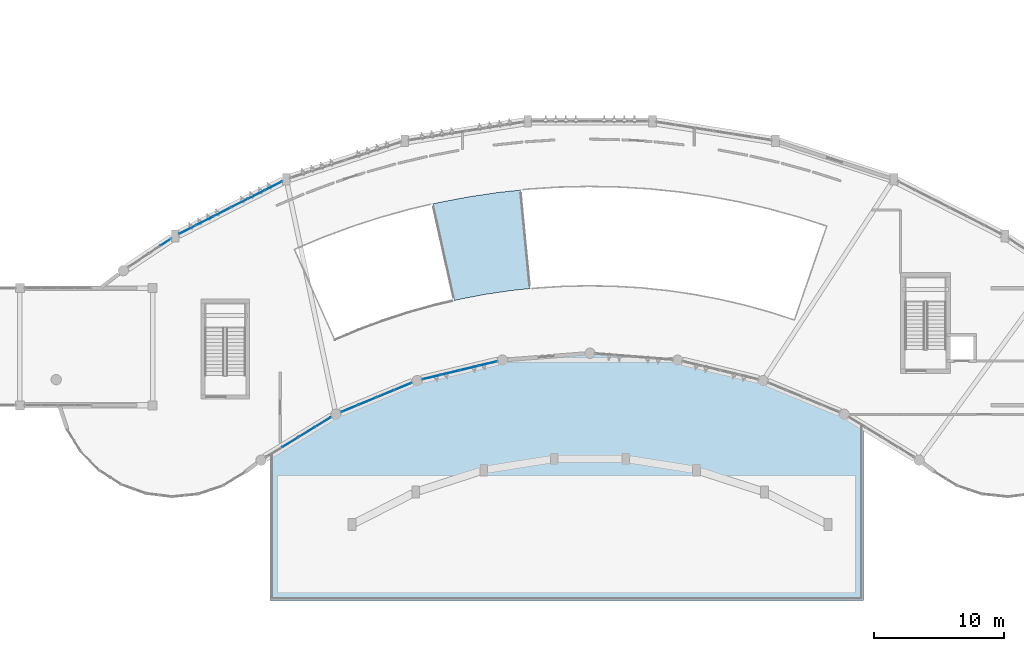
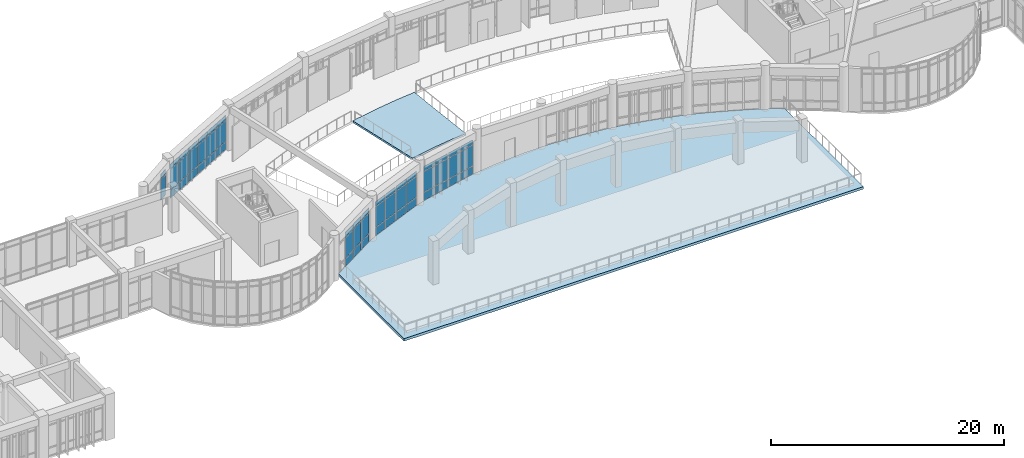
# One storey, part 39 of 65: 53 plates, 2 slabs, 9 elements without a shape of their own.
"""IFC4 building model written with IfcOpenShell, lengths in metres."""

from ifc_helpers import new_model, si_unit, direction, frame, origin, origin_2d, place, context, subcontext, project, spatial, polyline, rectangle, outline, extrude, material, layer, layer_set, type_object, element, aggregate, save


model = new_model("IFC4")

# Units and contexts
model_context = context("Model", 3, precision=1e-05, world=origin(), true_north=direction((0.0, 1.0)))
body_context = subcontext(model_context, "Body", "Model", "MODEL_VIEW")
ifc_project = project(units=[si_unit("LENGTHUNIT", "METRE"), si_unit("AREAUNIT", "SQUARE_METRE"), si_unit("VOLUMEUNIT", "CUBIC_METRE"), si_unit("PLANEANGLEUNIT", "RADIAN"), si_unit("MASSUNIT", "GRAM", prefix="KILO")], contexts=[model_context])

# Site, building, storey
site_placement = place(None, origin())
site = spatial("IfcSite", under=ifc_project, at=site_placement, CompositionType="ELEMENT")
building_placement = place(site_placement, origin())
building = spatial("IfcBuilding", under=site, at=building_placement, Name="Miralva Faculty of Natural Sciences", CompositionType="ELEMENT")
storey_placement = place(building_placement, frame((0.0, 0.0, 10.199951171875)))
storey = spatial("IfcBuildingStorey", under=building, at=storey_placement, Name="L02", CompositionType="ELEMENT", Elevation=10.199951171875)

# Curtain wall, plates
ifc_material_1 = material(Name="Laminated solar-control glass", Category="glass")
ifc_layer_1 = layer(ifc_material_1, 0.179931640625, Name="CW-ARC-L01")
ifc_layer_set_1 = layer_set([ifc_layer_1], Name="Laminated solar-control glass")
curtain_wall_type = type_object("IfcCurtainWallType", Name="CW-ARC-L01", PredefinedType="USERDEFINED", material=ifc_layer_set_1)
curtain_wall_1_placement = place(storey_placement, origin())
curtain_wall_1 = element("IfcCurtainWall", 1, at=curtain_wall_1_placement, inside=storey, type_object=curtain_wall_type, Name="Curtain wall CW-02 L02-63", ObjectType="UNITISED CURTAIN WALL", PredefinedType="USERDEFINED")
ifc_layer_2 = layer(ifc_material_1, 0.028076171875, Name="PNL-P01")
ifc_layer_set_2 = layer_set([ifc_layer_2], Name="Laminated solar-control glass")
plate_type = type_object("IfcPlateType", Name="PNL-P01", PredefinedType="CURTAIN_PANEL", material=ifc_layer_set_2)
plate_1_placement = place(storey_placement, frame((66.95947265625, 15.15673828125, 0.06494140625), z_axis=(0.0, 0.0, 1.0), x_axis=(0.852640729642, 0.522497642249, 0.0)))
plate_1 = element("IfcPlate", 2, at=plate_1_placement, type_object=plate_type, Name="CW-02 panel 2.1", PredefinedType="CURTAIN_PANEL", context=body_context, shape_type="SweptSolid", body=[
    extrude(rectangle(XDim=1.376953125, YDim=0.028076171875, at=origin_2d()), origin(), (0.0, 0.0, 1.0), 0.802490234375),
])
plate_2_placement = place(storey_placement, frame((66.95947265625, 15.15673828125, 0.9326171875), z_axis=(0.0, 0.0, 1.0), x_axis=(0.852640729642, 0.522497642249, 0.0)))
plate_2 = element("IfcPlate", 3, at=plate_2_placement, type_object=plate_type, Name="CW-02 panel 2.2", PredefinedType="CURTAIN_PANEL", context=body_context, shape_type="SweptSolid", body=[
    extrude(rectangle(XDim=1.376953125, YDim=0.028076171875, at=origin_2d()), origin(), (0.0, 0.0, 1.0), 2.139892578125),
])
plate_3_placement = place(storey_placement, frame((66.95947265625, 15.15673828125, 3.1376953125), z_axis=(0.0, 0.0, 1.0), x_axis=(0.852640729642, 0.522497642249, 0.0)))
plate_3 = element("IfcPlate", 4, at=plate_3_placement, type_object=plate_type, Name="CW-02 panel 2.3", PredefinedType="CURTAIN_PANEL", context=body_context, shape_type="SweptSolid", body=[
    extrude(rectangle(XDim=1.376953125, YDim=0.028076171875, at=origin_2d()), origin(), (0.0, 0.0, 1.0), 0.50244140625),
])
aggregate(curtain_wall_1, [plate_1, plate_2, plate_3])

curtain_wall_2_placement = place(storey_placement, origin())
curtain_wall_2 = element("IfcCurtainWall", 5, at=curtain_wall_2_placement, inside=storey, type_object=curtain_wall_type, Name="Curtain wall CW-02 L02-64", ObjectType="UNITISED CURTAIN WALL", PredefinedType="USERDEFINED")
plate_4_placement = place(storey_placement, frame((68.240966796875, 15.942138671875, 0.06494140625), z_axis=(0.0, 0.0, 1.0), x_axis=(0.852655256018, 0.522473936561, 0.0)))
plate_4 = element("IfcPlate", 6, at=plate_4_placement, type_object=plate_type, Name="CW-02 panel 1.1", PredefinedType="CURTAIN_PANEL", context=body_context, shape_type="SweptSolid", body=[
    extrude(rectangle(XDim=1.37939453125, YDim=0.028076171875, at=origin_2d()), origin(), (0.0, 0.0, 1.0), 0.802490234375),
])
plate_5_placement = place(storey_placement, frame((68.240966796875, 15.942138671875, 0.9326171875), z_axis=(0.0, 0.0, 1.0), x_axis=(0.852655256018, 0.522473936561, 0.0)))
plate_5 = element("IfcPlate", 7, at=plate_5_placement, type_object=plate_type, Name="CW-02 panel 1.2", PredefinedType="CURTAIN_PANEL", context=body_context, shape_type="SweptSolid", body=[
    extrude(rectangle(XDim=1.37939453125, YDim=0.028076171875, at=origin_2d()), origin(), (0.0, 0.0, 1.0), 2.139892578125),
])
plate_6_placement = place(storey_placement, frame((68.240966796875, 15.942138671875, 3.1376953125), z_axis=(0.0, 0.0, 1.0), x_axis=(0.852655256018, 0.522473936561, 0.0)))
plate_6 = element("IfcPlate", 8, at=plate_6_placement, type_object=plate_type, Name="CW-02 panel 1.3", PredefinedType="CURTAIN_PANEL", context=body_context, shape_type="SweptSolid", body=[
    extrude(rectangle(XDim=1.37939453125, YDim=0.028076171875, at=origin_2d()), origin(), (0.0, 0.0, 1.0), 0.50244140625),
])
plate_7_placement = place(storey_placement, frame((69.47265625, 16.69677734375, 0.06494140625), z_axis=(0.0, 0.0, 1.0), x_axis=(0.852655256018, 0.522473936561, 0.0)))
plate_7 = element("IfcPlate", 9, at=plate_7_placement, type_object=plate_type, Name="CW-02 panel 2.1", PredefinedType="CURTAIN_PANEL", context=body_context, shape_type="SweptSolid", body=[
    extrude(rectangle(XDim=1.37939453125, YDim=0.028076171875, at=origin_2d()), origin(), (0.0, 0.0, 1.0), 0.802490234375),
])
plate_8_placement = place(storey_placement, frame((69.47265625, 16.69677734375, 0.9326171875), z_axis=(0.0, 0.0, 1.0), x_axis=(0.852655256018, 0.522473936561, 0.0)))
plate_8 = element("IfcPlate", 10, at=plate_8_placement, type_object=plate_type, Name="CW-02 panel 2.2", PredefinedType="CURTAIN_PANEL", context=body_context, shape_type="SweptSolid", body=[
    extrude(rectangle(XDim=1.37939453125, YDim=0.028076171875, at=origin_2d()), origin(), (0.0, 0.0, 1.0), 2.139892578125),
])
plate_9_placement = place(storey_placement, frame((69.47265625, 16.69677734375, 3.1376953125), z_axis=(0.0, 0.0, 1.0), x_axis=(0.852655256018, 0.522473936561, 0.0)))
plate_9 = element("IfcPlate", 11, at=plate_9_placement, type_object=plate_type, Name="CW-02 panel 2.3", PredefinedType="CURTAIN_PANEL", context=body_context, shape_type="SweptSolid", body=[
    extrude(rectangle(XDim=1.37939453125, YDim=0.028076171875, at=origin_2d()), origin(), (0.0, 0.0, 1.0), 0.50244140625),
])
aggregate(curtain_wall_2, [plate_4, plate_5, plate_6, plate_7, plate_8, plate_9])

curtain_wall_3_placement = place(storey_placement, origin())
curtain_wall_3 = element("IfcCurtainWall", 12, at=curtain_wall_3_placement, inside=storey, type_object=curtain_wall_type, Name="Curtain wall CW-02 L02-65", ObjectType="UNITISED CURTAIN WALL", PredefinedType="USERDEFINED")
plate_10_placement = place(storey_placement, frame((71.560302734375, 17.761474609375, 0.06494140625), z_axis=(0.0, 0.0, 1.0), x_axis=(0.923873889004, 0.382697056713, 0.0)))
plate_10 = element("IfcPlate", 13, at=plate_10_placement, type_object=plate_type, Name="CW-02 panel 1.1", PredefinedType="CURTAIN_PANEL", context=body_context, shape_type="SweptSolid", body=[
    extrude(rectangle(XDim=1.3818359375, YDim=0.028076171875, at=origin_2d()), origin(), (0.0, 0.0, 1.0), 0.802490234375),
])
plate_11_placement = place(storey_placement, frame((71.560302734375, 17.761474609375, 0.9326171875), z_axis=(0.0, 0.0, 1.0), x_axis=(0.923873889004, 0.382697056713, 0.0)))
plate_11 = element("IfcPlate", 14, at=plate_11_placement, type_object=plate_type, Name="CW-02 panel 1.2", PredefinedType="CURTAIN_PANEL", context=body_context, shape_type="SweptSolid", body=[
    extrude(rectangle(XDim=1.3818359375, YDim=0.028076171875, at=origin_2d()), origin(), (0.0, 0.0, 1.0), 2.139892578125),
])
plate_12_placement = place(storey_placement, frame((71.560302734375, 17.761474609375, 3.1376953125), z_axis=(0.0, 0.0, 1.0), x_axis=(0.923873889004, 0.382697056713, 0.0)))
plate_12 = element("IfcPlate", 15, at=plate_12_placement, type_object=plate_type, Name="CW-02 panel 1.3", PredefinedType="CURTAIN_PANEL", context=body_context, shape_type="SweptSolid", body=[
    extrude(rectangle(XDim=1.3818359375, YDim=0.028076171875, at=origin_2d()), origin(), (0.0, 0.0, 1.0), 0.50244140625),
])
plate_13_placement = place(storey_placement, frame((72.89697265625, 18.315185546875, 0.06494140625), z_axis=(0.0, 0.0, 1.0), x_axis=(0.923873889004, 0.382697056713, 0.0)))
plate_13 = element("IfcPlate", 16, at=plate_13_placement, type_object=plate_type, Name="CW-02 panel 2.1", PredefinedType="CURTAIN_PANEL", context=body_context, shape_type="SweptSolid", body=[
    extrude(rectangle(XDim=1.3818359375, YDim=0.028076171875, at=origin_2d()), origin(), (0.0, 0.0, 1.0), 0.802490234375),
])
plate_14_placement = place(storey_placement, frame((72.89697265625, 18.315185546875, 0.9326171875), z_axis=(0.0, 0.0, 1.0), x_axis=(0.923873889004, 0.382697056713, 0.0)))
plate_14 = element("IfcPlate", 17, at=plate_14_placement, type_object=plate_type, Name="CW-02 panel 2.2", PredefinedType="CURTAIN_PANEL", context=body_context, shape_type="SweptSolid", body=[
    extrude(rectangle(XDim=1.3818359375, YDim=0.028076171875, at=origin_2d()), origin(), (0.0, 0.0, 1.0), 2.139892578125),
])
plate_15_placement = place(storey_placement, frame((72.89697265625, 18.315185546875, 3.1376953125), z_axis=(0.0, 0.0, 1.0), x_axis=(0.923873889004, 0.382697056713, 0.0)))
plate_15 = element("IfcPlate", 18, at=plate_15_placement, type_object=plate_type, Name="CW-02 panel 2.3", PredefinedType="CURTAIN_PANEL", context=body_context, shape_type="SweptSolid", body=[
    extrude(rectangle(XDim=1.3818359375, YDim=0.028076171875, at=origin_2d()), origin(), (0.0, 0.0, 1.0), 0.50244140625),
])
aggregate(curtain_wall_3, [plate_10, plate_11, plate_12, plate_13, plate_14, plate_15])

curtain_wall_4_placement = place(storey_placement, origin())
curtain_wall_4 = element("IfcCurtainWall", 19, at=curtain_wall_4_placement, inside=storey, type_object=curtain_wall_type, Name="Curtain wall CW-02 L02-66", ObjectType="UNITISED CURTAIN WALL", PredefinedType="USERDEFINED")
plate_16_placement = place(storey_placement, frame((74.290283203125, 18.892333984375, 0.06494140625), z_axis=(0.0, 0.0, 1.0), x_axis=(0.923891410727, 0.382654754557, 0.0)))
plate_16 = element("IfcPlate", 20, at=plate_16_placement, type_object=plate_type, Name="CW-02 panel 1.1", PredefinedType="CURTAIN_PANEL", context=body_context, shape_type="SweptSolid", body=[
    extrude(rectangle(XDim=1.38427734375, YDim=0.028076171875, at=origin_2d()), origin(), (0.0, 0.0, 1.0), 0.802490234375),
])
plate_17_placement = place(storey_placement, frame((74.290283203125, 18.892333984375, 0.9326171875), z_axis=(0.0, 0.0, 1.0), x_axis=(0.923891410727, 0.382654754557, 0.0)))
plate_17 = element("IfcPlate", 21, at=plate_17_placement, type_object=plate_type, Name="CW-02 panel 1.2", PredefinedType="CURTAIN_PANEL", context=body_context, shape_type="SweptSolid", body=[
    extrude(rectangle(XDim=1.38427734375, YDim=0.028076171875, at=origin_2d()), origin(), (0.0, 0.0, 1.0), 2.139892578125),
])
plate_18_placement = place(storey_placement, frame((74.290283203125, 18.892333984375, 3.1376953125), z_axis=(0.0, 0.0, 1.0), x_axis=(0.923891410727, 0.382654754557, 0.0)))
plate_18 = element("IfcPlate", 22, at=plate_18_placement, type_object=plate_type, Name="CW-02 panel 1.3", PredefinedType="CURTAIN_PANEL", context=body_context, shape_type="SweptSolid", body=[
    extrude(rectangle(XDim=1.38427734375, YDim=0.028076171875, at=origin_2d()), origin(), (0.0, 0.0, 1.0), 0.50244140625),
])
plate_19_placement = place(storey_placement, frame((75.62939453125, 19.44677734375, 0.06494140625), z_axis=(0.0, 0.0, 1.0), x_axis=(0.923891410727, 0.382654754557, 0.0)))
plate_19 = element("IfcPlate", 23, at=plate_19_placement, type_object=plate_type, Name="CW-02 panel 2.1", PredefinedType="CURTAIN_PANEL", context=body_context, shape_type="SweptSolid", body=[
    extrude(rectangle(XDim=1.38427734375, YDim=0.028076171875, at=origin_2d()), origin(), (0.0, 0.0, 1.0), 0.802490234375),
])
plate_20_placement = place(storey_placement, frame((75.62939453125, 19.44677734375, 0.9326171875), z_axis=(0.0, 0.0, 1.0), x_axis=(0.923891410727, 0.382654754557, 0.0)))
plate_20 = element("IfcPlate", 24, at=plate_20_placement, type_object=plate_type, Name="CW-02 panel 2.2", PredefinedType="CURTAIN_PANEL", context=body_context, shape_type="SweptSolid", body=[
    extrude(rectangle(XDim=1.38427734375, YDim=0.028076171875, at=origin_2d()), origin(), (0.0, 0.0, 1.0), 2.139892578125),
])
plate_21_placement = place(storey_placement, frame((75.62939453125, 19.44677734375, 3.1376953125), z_axis=(0.0, 0.0, 1.0), x_axis=(0.923891410727, 0.382654754557, 0.0)))
plate_21 = element("IfcPlate", 25, at=plate_21_placement, type_object=plate_type, Name="CW-02 panel 2.3", PredefinedType="CURTAIN_PANEL", context=body_context, shape_type="SweptSolid", body=[
    extrude(rectangle(XDim=1.38427734375, YDim=0.028076171875, at=origin_2d()), origin(), (0.0, 0.0, 1.0), 0.50244140625),
])
aggregate(curtain_wall_4, [plate_16, plate_17, plate_18, plate_19, plate_20, plate_21])

curtain_wall_5_placement = place(storey_placement, origin())
curtain_wall_5 = element("IfcCurtainWall", 26, at=curtain_wall_5_placement, inside=storey, type_object=curtain_wall_type, Name="Curtain wall CW-02 L02-67", ObjectType="UNITISED CURTAIN WALL", PredefinedType="USERDEFINED")
plate_22_placement = place(storey_placement, frame((77.836181640625, 20.165283203125, 0.06494140625), z_axis=(0.0, 0.0, 1.0), x_axis=(0.972367185898, 0.233456753574, 0.0)))
plate_22 = element("IfcPlate", 27, at=plate_22_placement, type_object=plate_type, Name="CW-02 panel 1.1", PredefinedType="CURTAIN_PANEL", context=body_context, shape_type="SweptSolid", body=[
    extrude(rectangle(XDim=1.391845703125, YDim=0.028076171875, at=origin_2d()), origin(), (0.0, 0.0, 1.0), 0.802490234375),
])
plate_23_placement = place(storey_placement, frame((77.836181640625, 20.165283203125, 0.9326171875), z_axis=(0.0, 0.0, 1.0), x_axis=(0.972367185898, 0.233456753574, 0.0)))
plate_23 = element("IfcPlate", 28, at=plate_23_placement, type_object=plate_type, Name="CW-02 panel 1.2", PredefinedType="CURTAIN_PANEL", context=body_context, shape_type="SweptSolid", body=[
    extrude(rectangle(XDim=1.391845703125, YDim=0.028076171875, at=origin_2d()), origin(), (0.0, 0.0, 1.0), 2.139892578125),
])
plate_24_placement = place(storey_placement, frame((77.836181640625, 20.165283203125, 3.1376953125), z_axis=(0.0, 0.0, 1.0), x_axis=(0.972367185898, 0.233456753574, 0.0)))
plate_24 = element("IfcPlate", 29, at=plate_24_placement, type_object=plate_type, Name="CW-02 panel 1.3", PredefinedType="CURTAIN_PANEL", context=body_context, shape_type="SweptSolid", body=[
    extrude(rectangle(XDim=1.391845703125, YDim=0.028076171875, at=origin_2d()), origin(), (0.0, 0.0, 1.0), 0.50244140625),
])
plate_25_placement = place(storey_placement, frame((79.2529296875, 20.50537109375, 0.06494140625), z_axis=(0.0, 0.0, 1.0), x_axis=(0.972367185898, 0.233456753574, 0.0)))
plate_25 = element("IfcPlate", 30, at=plate_25_placement, type_object=plate_type, Name="CW-02 panel 2.1", PredefinedType="CURTAIN_PANEL", context=body_context, shape_type="SweptSolid", body=[
    extrude(rectangle(XDim=1.391845703125, YDim=0.028076171875, at=origin_2d()), origin(), (0.0, 0.0, 1.0), 0.802490234375),
])
plate_26_placement = place(storey_placement, frame((79.2529296875, 20.50537109375, 0.9326171875), z_axis=(0.0, 0.0, 1.0), x_axis=(0.972367185898, 0.233456753574, 0.0)))
plate_26 = element("IfcPlate", 31, at=plate_26_placement, type_object=plate_type, Name="CW-02 panel 2.2", PredefinedType="CURTAIN_PANEL", context=body_context, shape_type="SweptSolid", body=[
    extrude(rectangle(XDim=1.391845703125, YDim=0.028076171875, at=origin_2d()), origin(), (0.0, 0.0, 1.0), 2.139892578125),
])
plate_27_placement = place(storey_placement, frame((79.2529296875, 20.50537109375, 3.1376953125), z_axis=(0.0, 0.0, 1.0), x_axis=(0.972367185898, 0.233456753574, 0.0)))
plate_27 = element("IfcPlate", 32, at=plate_27_placement, type_object=plate_type, Name="CW-02 panel 2.3", PredefinedType="CURTAIN_PANEL", context=body_context, shape_type="SweptSolid", body=[
    extrude(rectangle(XDim=1.391845703125, YDim=0.028076171875, at=origin_2d()), origin(), (0.0, 0.0, 1.0), 0.50244140625),
])
aggregate(curtain_wall_5, [plate_22, plate_23, plate_24, plate_25, plate_26, plate_27])

curtain_wall_6_placement = place(storey_placement, origin())
curtain_wall_6 = element("IfcCurtainWall", 33, at=curtain_wall_6_placement, inside=storey, type_object=curtain_wall_type, Name="Curtain wall CW-02 L02-68", ObjectType="UNITISED CURTAIN WALL", PredefinedType="USERDEFINED")
plate_28_placement = place(storey_placement, frame((80.72900390625, 20.85986328125, 0.06494140625), z_axis=(0.0, 0.0, 1.0), x_axis=(0.972365393914, 0.233464217213, 0.0)))
plate_28 = element("IfcPlate", 34, at=plate_28_placement, type_object=plate_type, Name="CW-02 panel 1.1", PredefinedType="CURTAIN_PANEL", context=body_context, shape_type="SweptSolid", body=[
    extrude(rectangle(XDim=1.394287109375, YDim=0.028076171875, at=origin_2d()), origin(), (0.0, 0.0, 1.0), 0.802490234375),
])
plate_29_placement = place(storey_placement, frame((80.72900390625, 20.85986328125, 0.9326171875), z_axis=(0.0, 0.0, 1.0), x_axis=(0.972365393914, 0.233464217213, 0.0)))
plate_29 = element("IfcPlate", 35, at=plate_29_placement, type_object=plate_type, Name="CW-02 panel 1.2", PredefinedType="CURTAIN_PANEL", context=body_context, shape_type="SweptSolid", body=[
    extrude(rectangle(XDim=1.394287109375, YDim=0.028076171875, at=origin_2d()), origin(), (0.0, 0.0, 1.0), 2.139892578125),
])
plate_30_placement = place(storey_placement, frame((80.72900390625, 20.85986328125, 3.1376953125), z_axis=(0.0, 0.0, 1.0), x_axis=(0.972365393914, 0.233464217213, 0.0)))
plate_30 = element("IfcPlate", 36, at=plate_30_placement, type_object=plate_type, Name="CW-02 panel 1.3", PredefinedType="CURTAIN_PANEL", context=body_context, shape_type="SweptSolid", body=[
    extrude(rectangle(XDim=1.394287109375, YDim=0.028076171875, at=origin_2d()), origin(), (0.0, 0.0, 1.0), 0.50244140625),
])
plate_31_placement = place(storey_placement, frame((82.148193359375, 21.200439453125, 0.06494140625), z_axis=(0.0, 0.0, 1.0), x_axis=(0.972365393914, 0.233464217213, 0.0)))
plate_31 = element("IfcPlate", 37, at=plate_31_placement, type_object=plate_type, Name="CW-02 panel 2.1", PredefinedType="CURTAIN_PANEL", context=body_context, shape_type="SweptSolid", body=[
    extrude(rectangle(XDim=1.394287109375, YDim=0.028076171875, at=origin_2d()), origin(), (0.0, 0.0, 1.0), 0.802490234375),
])
plate_32_placement = place(storey_placement, frame((82.148193359375, 21.200439453125, 0.9326171875), z_axis=(0.0, 0.0, 1.0), x_axis=(0.972365393914, 0.233464217213, 0.0)))
plate_32 = element("IfcPlate", 38, at=plate_32_placement, type_object=plate_type, Name="CW-02 panel 2.2", PredefinedType="CURTAIN_PANEL", context=body_context, shape_type="SweptSolid", body=[
    extrude(rectangle(XDim=1.394287109375, YDim=0.028076171875, at=origin_2d()), origin(), (0.0, 0.0, 1.0), 2.139892578125),
])
plate_33_placement = place(storey_placement, frame((82.148193359375, 21.200439453125, 3.1376953125), z_axis=(0.0, 0.0, 1.0), x_axis=(0.972365393914, 0.233464217213, 0.0)))
plate_33 = element("IfcPlate", 39, at=plate_33_placement, type_object=plate_type, Name="CW-02 panel 2.3", PredefinedType="CURTAIN_PANEL", context=body_context, shape_type="SweptSolid", body=[
    extrude(rectangle(XDim=1.394287109375, YDim=0.028076171875, at=origin_2d()), origin(), (0.0, 0.0, 1.0), 0.50244140625),
])
aggregate(curtain_wall_6, [plate_28, plate_29, plate_30, plate_31, plate_32, plate_33])

curtain_wall_7_placement = place(storey_placement, origin())
curtain_wall_7 = element("IfcCurtainWall", 40, at=curtain_wall_7_placement, inside=storey, type_object=curtain_wall_type, Name="Curtain wall CW-02 L02-78", ObjectType="UNITISED CURTAIN WALL", PredefinedType="USERDEFINED")
plate_34_placement = place(storey_placement, frame((57.400146484375, 30.52490234375, 0.929931640625), z_axis=(0.0, 0.0, 1.0), x_axis=(0.831458377074, 0.55558704736, 0.0)))
plate_34 = element("IfcPlate", 41, at=plate_34_placement, type_object=plate_type, Name="CW-02 panel 2.2", PredefinedType="CURTAIN_PANEL", context=body_context, shape_type="SweptSolid", body=[
    extrude(rectangle(XDim=0.929931640625, YDim=0.028076171875, at=origin_2d()), origin(), (0.0, 0.0, 1.0), 2.14501953125),
])
plate_35_placement = place(storey_placement, frame((57.400146484375, 30.52490234375, 3.13525390625), z_axis=(0.0, 0.0, 1.0), x_axis=(0.831458377074, 0.55558704736, 0.0)))
plate_35 = element("IfcPlate", 42, at=plate_35_placement, type_object=plate_type, Name="CW-02 panel 2.3", PredefinedType="CURTAIN_PANEL", context=body_context, shape_type="SweptSolid", body=[
    extrude(rectangle(XDim=0.929931640625, YDim=0.028076171875, at=origin_2d()), origin(), (0.0, 0.0, 1.0), 0.510009765625),
])
aggregate(curtain_wall_7, [plate_34, plate_35])

curtain_wall_8_placement = place(storey_placement, origin())
curtain_wall_8 = element("IfcCurtainWall", 43, at=curtain_wall_8_placement, inside=storey, type_object=curtain_wall_type, Name="Curtain wall CW-02 L02-79", ObjectType="UNITISED CURTAIN WALL", PredefinedType="USERDEFINED")
plate_36_placement = place(storey_placement, frame((59.086669921875, 31.499755859375, 0.06005859375), z_axis=(0.0, 0.0, 1.0), x_axis=(0.89100160052, 0.454000162854, 0.0)))
plate_36 = element("IfcPlate", 44, at=plate_36_placement, type_object=plate_type, Name="CW-02 panel 1.1", PredefinedType="CURTAIN_PANEL", context=body_context, shape_type="SweptSolid", body=[
    extrude(rectangle(XDim=1.392822265625, YDim=0.028076171875, at=origin_2d()), origin(), (0.0, 0.0, 1.0), 0.81005859375),
])
plate_37_placement = place(storey_placement, frame((59.086669921875, 31.499755859375, 0.929931640625), z_axis=(0.0, 0.0, 1.0), x_axis=(0.89100160052, 0.454000162854, 0.0)))
plate_37 = element("IfcPlate", 45, at=plate_37_placement, type_object=plate_type, Name="CW-02 panel 1.2", PredefinedType="CURTAIN_PANEL", context=body_context, shape_type="SweptSolid", body=[
    extrude(rectangle(XDim=1.392822265625, YDim=0.028076171875, at=origin_2d()), origin(), (0.0, 0.0, 1.0), 2.14501953125),
])
plate_38_placement = place(storey_placement, frame((59.086669921875, 31.499755859375, 3.13525390625), z_axis=(0.0, 0.0, 1.0), x_axis=(0.89100160052, 0.454000162854, 0.0)))
plate_38 = element("IfcPlate", 46, at=plate_38_placement, type_object=plate_type, Name="CW-02 panel 1.3", PredefinedType="CURTAIN_PANEL", context=body_context, shape_type="SweptSolid", body=[
    extrude(rectangle(XDim=1.392822265625, YDim=0.028076171875, at=origin_2d()), origin(), (0.0, 0.0, 1.0), 0.510009765625),
])
plate_39_placement = place(storey_placement, frame((60.400146484375, 32.1689453125, 0.06005859375), z_axis=(0.0, 0.0, 1.0), x_axis=(0.89100160052, 0.454000162854, 0.0)))
plate_39 = element("IfcPlate", 47, at=plate_39_placement, type_object=plate_type, Name="CW-02 panel 2.1", PredefinedType="CURTAIN_PANEL", context=body_context, shape_type="SweptSolid", body=[
    extrude(rectangle(XDim=1.42529296875, YDim=0.028076171875, at=origin_2d()), origin(), (0.0, 0.0, 1.0), 0.81005859375),
])
plate_40_placement = place(storey_placement, frame((60.400146484375, 32.1689453125, 0.929931640625), z_axis=(0.0, 0.0, 1.0), x_axis=(0.89100160052, 0.454000162854, 0.0)))
plate_40 = element("IfcPlate", 48, at=plate_40_placement, type_object=plate_type, Name="CW-02 panel 2.2", PredefinedType="CURTAIN_PANEL", context=body_context, shape_type="SweptSolid", body=[
    extrude(rectangle(XDim=1.42529296875, YDim=0.028076171875, at=origin_2d()), origin(), (0.0, 0.0, 1.0), 2.14501953125),
])
plate_41_placement = place(storey_placement, frame((60.400146484375, 32.1689453125, 3.13525390625), z_axis=(0.0, 0.0, 1.0), x_axis=(0.89100160052, 0.454000162854, 0.0)))
plate_41 = element("IfcPlate", 49, at=plate_41_placement, type_object=plate_type, Name="CW-02 panel 2.3", PredefinedType="CURTAIN_PANEL", context=body_context, shape_type="SweptSolid", body=[
    extrude(rectangle(XDim=1.42529296875, YDim=0.028076171875, at=origin_2d()), origin(), (0.0, 0.0, 1.0), 0.510009765625),
])
plate_42_placement = place(storey_placement, frame((61.71337890625, 32.838134765625, 0.06005859375), z_axis=(0.0, 0.0, 1.0), x_axis=(0.89100160052, 0.454000162854, 0.0)))
plate_42 = element("IfcPlate", 50, at=plate_42_placement, type_object=plate_type, Name="CW-02 panel 3.1", PredefinedType="CURTAIN_PANEL", context=body_context, shape_type="SweptSolid", body=[
    extrude(rectangle(XDim=1.392822265625, YDim=0.028076171875, at=origin_2d()), origin(), (0.0, 0.0, 1.0), 0.81005859375),
])
plate_43_placement = place(storey_placement, frame((61.71337890625, 32.838134765625, 0.929931640625), z_axis=(0.0, 0.0, 1.0), x_axis=(0.89100160052, 0.454000162854, 0.0)))
plate_43 = element("IfcPlate", 51, at=plate_43_placement, type_object=plate_type, Name="CW-02 panel 3.2", PredefinedType="CURTAIN_PANEL", context=body_context, shape_type="SweptSolid", body=[
    extrude(rectangle(XDim=1.392822265625, YDim=0.028076171875, at=origin_2d()), origin(), (0.0, 0.0, 1.0), 2.14501953125),
])
plate_44_placement = place(storey_placement, frame((61.71337890625, 32.838134765625, 3.13525390625), z_axis=(0.0, 0.0, 1.0), x_axis=(0.89100160052, 0.454000162854, 0.0)))
plate_44 = element("IfcPlate", 52, at=plate_44_placement, type_object=plate_type, Name="CW-02 panel 3.3", PredefinedType="CURTAIN_PANEL", context=body_context, shape_type="SweptSolid", body=[
    extrude(rectangle(XDim=1.392822265625, YDim=0.028076171875, at=origin_2d()), origin(), (0.0, 0.0, 1.0), 0.510009765625),
])
aggregate(curtain_wall_8, [plate_36, plate_37, plate_38, plate_39, plate_40, plate_41, plate_42, plate_43, plate_44])

curtain_wall_9_placement = place(storey_placement, origin())
curtain_wall_9 = element("IfcCurtainWall", 53, at=curtain_wall_9_placement, inside=storey, type_object=curtain_wall_type, Name="Curtain wall CW-02 L02-80", ObjectType="UNITISED CURTAIN WALL", PredefinedType="USERDEFINED")
plate_45_placement = place(storey_placement, frame((63.066650390625, 33.527587890625, 0.06005859375), z_axis=(0.0, 0.0, 1.0), x_axis=(0.891014603122, 0.453974643591, 0.0)))
plate_45 = element("IfcPlate", 54, at=plate_45_placement, type_object=plate_type, Name="CW-02 panel 1.1", PredefinedType="CURTAIN_PANEL", context=body_context, shape_type="SweptSolid", body=[
    extrude(rectangle(XDim=1.39453125, YDim=0.028076171875, at=origin_2d()), origin(), (0.0, 0.0, 1.0), 0.81005859375),
])
plate_46_placement = place(storey_placement, frame((63.066650390625, 33.527587890625, 0.929931640625), z_axis=(0.0, 0.0, 1.0), x_axis=(0.891014603122, 0.453974643591, 0.0)))
plate_46 = element("IfcPlate", 55, at=plate_46_placement, type_object=plate_type, Name="CW-02 panel 1.2", PredefinedType="CURTAIN_PANEL", context=body_context, shape_type="SweptSolid", body=[
    extrude(rectangle(XDim=1.39453125, YDim=0.028076171875, at=origin_2d()), origin(), (0.0, 0.0, 1.0), 2.14501953125),
])
plate_47_placement = place(storey_placement, frame((63.066650390625, 33.527587890625, 3.13525390625), z_axis=(0.0, 0.0, 1.0), x_axis=(0.891014603122, 0.453974643591, 0.0)))
plate_47 = element("IfcPlate", 56, at=plate_47_placement, type_object=plate_type, Name="CW-02 panel 1.3", PredefinedType="CURTAIN_PANEL", context=body_context, shape_type="SweptSolid", body=[
    extrude(rectangle(XDim=1.39453125, YDim=0.028076171875, at=origin_2d()), origin(), (0.0, 0.0, 1.0), 0.510009765625),
])
plate_48_placement = place(storey_placement, frame((64.381591796875, 34.197509765625, 0.06005859375), z_axis=(0.0, 0.0, 1.0), x_axis=(0.891014603122, 0.453974643591, 0.0)))
plate_48 = element("IfcPlate", 57, at=plate_48_placement, type_object=plate_type, Name="CW-02 panel 2.1", PredefinedType="CURTAIN_PANEL", context=body_context, shape_type="SweptSolid", body=[
    extrude(rectangle(XDim=1.427001953125, YDim=0.028076171875, at=origin_2d()), origin(), (0.0, 0.0, 1.0), 0.81005859375),
])
plate_49_placement = place(storey_placement, frame((64.381591796875, 34.197509765625, 0.929931640625), z_axis=(0.0, 0.0, 1.0), x_axis=(0.891014603122, 0.453974643591, 0.0)))
plate_49 = element("IfcPlate", 58, at=plate_49_placement, type_object=plate_type, Name="CW-02 panel 2.2", PredefinedType="CURTAIN_PANEL", context=body_context, shape_type="SweptSolid", body=[
    extrude(rectangle(XDim=1.427001953125, YDim=0.028076171875, at=origin_2d()), origin(), (0.0, 0.0, 1.0), 2.14501953125),
])
plate_50_placement = place(storey_placement, frame((64.381591796875, 34.197509765625, 3.13525390625), z_axis=(0.0, 0.0, 1.0), x_axis=(0.891014603122, 0.453974643591, 0.0)))
plate_50 = element("IfcPlate", 59, at=plate_50_placement, type_object=plate_type, Name="CW-02 panel 2.3", PredefinedType="CURTAIN_PANEL", context=body_context, shape_type="SweptSolid", body=[
    extrude(rectangle(XDim=1.427001953125, YDim=0.028076171875, at=origin_2d()), origin(), (0.0, 0.0, 1.0), 0.510009765625),
])
plate_51_placement = place(storey_placement, frame((65.696533203125, 34.86767578125, 0.06005859375), z_axis=(0.0, 0.0, 1.0), x_axis=(0.891014603122, 0.453974643591, 0.0)))
plate_51 = element("IfcPlate", 60, at=plate_51_placement, type_object=plate_type, Name="CW-02 panel 3.1", PredefinedType="CURTAIN_PANEL", context=body_context, shape_type="SweptSolid", body=[
    extrude(rectangle(XDim=1.39453125, YDim=0.028076171875, at=origin_2d()), origin(), (0.0, 0.0, 1.0), 0.81005859375),
])
plate_52_placement = place(storey_placement, frame((65.696533203125, 34.86767578125, 0.929931640625), z_axis=(0.0, 0.0, 1.0), x_axis=(0.891014603122, 0.453974643591, 0.0)))
plate_52 = element("IfcPlate", 61, at=plate_52_placement, type_object=plate_type, Name="CW-02 panel 3.2", PredefinedType="CURTAIN_PANEL", context=body_context, shape_type="SweptSolid", body=[
    extrude(rectangle(XDim=1.39453125, YDim=0.028076171875, at=origin_2d()), origin(), (0.0, 0.0, 1.0), 2.14501953125),
])
plate_53_placement = place(storey_placement, frame((65.696533203125, 34.86767578125, 3.13525390625), z_axis=(0.0, 0.0, 1.0), x_axis=(0.891014603122, 0.453974643591, 0.0)))
plate_53 = element("IfcPlate", 62, at=plate_53_placement, type_object=plate_type, Name="CW-02 panel 3.3", PredefinedType="CURTAIN_PANEL", context=body_context, shape_type="SweptSolid", body=[
    extrude(rectangle(XDim=1.39453125, YDim=0.028076171875, at=origin_2d()), origin(), (0.0, 0.0, 1.0), 0.510009765625),
])
aggregate(curtain_wall_9, [plate_45, plate_46, plate_47, plate_48, plate_49, plate_50, plate_51, plate_52, plate_53])

# Slabs
ifc_material_2 = material(Name="Concrete C40/50", Category="concrete")
ifc_layer_3 = layer(ifc_material_2, 0.199951171875, Name="SL-FL05")
ifc_layer_set_3 = layer_set([ifc_layer_3], Name="Concrete C40/50")
slab_type_1 = type_object("IfcSlabType", Name="SL-FL05", PredefinedType="FLOOR", material=ifc_layer_set_3)
slab_1_placement = place(storey_placement, frame((0.0, 0.0, -0.199951171875)))
element("IfcSlab", 63, at=slab_1_placement, inside=storey, type_object=slab_type_1, Name="Atrium Curved White Gallery Bridge L02", PredefinedType="FLOOR", context=body_context, shape_type="SweptSolid", body=[
    extrude(outline(polyline([(77.92431640625, 33.47021484375), (78.345703125, 33.5693359375), (80.63037109375, 34.0078125), (82.931396484375, 34.3505859375), (84.652587890625, 34.533935546875), (85.381103515625, 26.97021484375), (83.89404296875, 26.811767578125), (81.906494140625, 26.515625), (79.932861328125, 26.136962890625), (79.569091796875, 26.05126953125), (77.92431640625, 33.47021484375)])), origin(), (0.0, 0.0, 1.0), 0.199951171875),
])
ifc_layer_4 = layer(ifc_material_2, 0.27001953125, Name="SL-TR02")
ifc_layer_set_4 = layer_set([ifc_layer_4], Name="Concrete C40/50")
slab_type_2 = type_object("IfcSlabType", Name="SL-TR02", PredefinedType="ROOF", material=ifc_layer_set_4)
slab_2_placement = place(storey_placement, frame((0.0, 0.0, -0.27001953125)))
element("IfcSlab", 64, at=slab_2_placement, inside=storey, type_object=slab_type_2, Name="Lecture Roof Garden Terrace Slab", PredefinedType="ROOF", context=body_context, shape_type="SweptSolid", body=[
    extrude(outline(polyline([(111.0, 3.0), (65.39990234375, 3.0), (65.39990234375, 14.2587890625), (66.248291015625, 14.844970703125), (67.66455078125, 15.743896484375), (69.114501953125, 16.587158203125), (70.596435546875, 17.373291015625), (72.10791015625, 18.100830078125), (73.646484375, 18.768798828125), (75.210205078125, 19.37646484375), (76.79638671875, 19.922607421875), (78.40234375, 20.406494140625), (80.0263671875, 20.827392578125), (81.665283203125, 21.1845703125), (83.31689453125, 21.4775390625), (84.978759765625, 21.705810546875), (86.648193359375, 21.869140625), (88.322998046875, 21.96728515625), (90.0, 22.0), (91.677001953125, 21.96728515625), (93.351806640625, 21.869140625), (95.021240234375, 21.705810546875), (96.68310546875, 21.4775390625), (98.334716796875, 21.1845703125), (99.9736328125, 20.827392578125), (101.59765625, 20.406494140625), (103.20361328125, 19.922607421875), (104.789794921875, 19.37646484375), (106.353515625, 18.768798828125), (107.89208984375, 18.100830078125), (109.403564453125, 17.373291015625), (110.885498046875, 16.587158203125), (111.0, 16.5205078125), (111.0, 3.0)])), origin(), (0.0, 0.0, 1.0), 0.27001953125),
])

save(model, "model.ifc")
